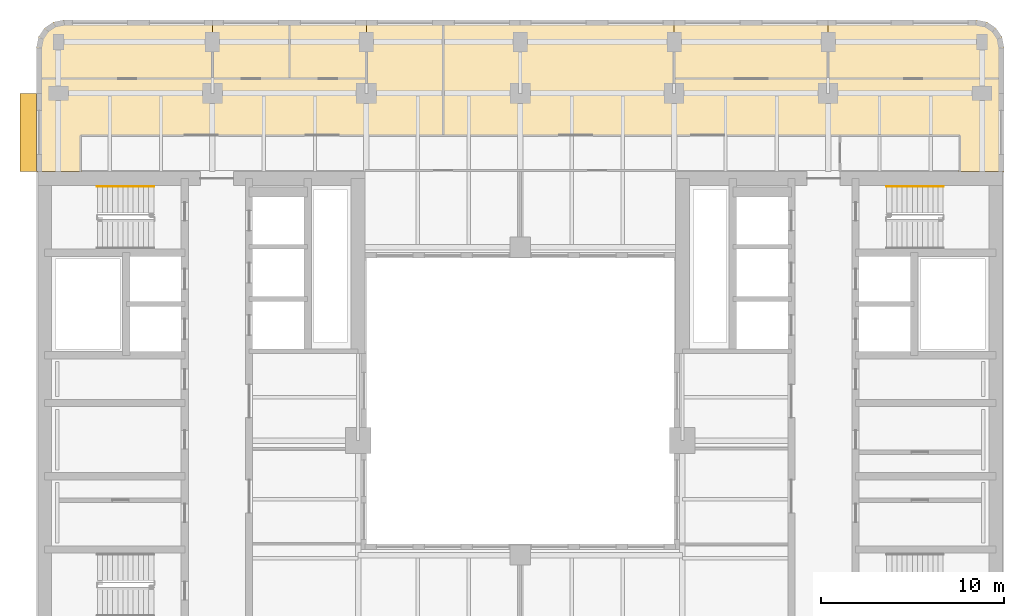
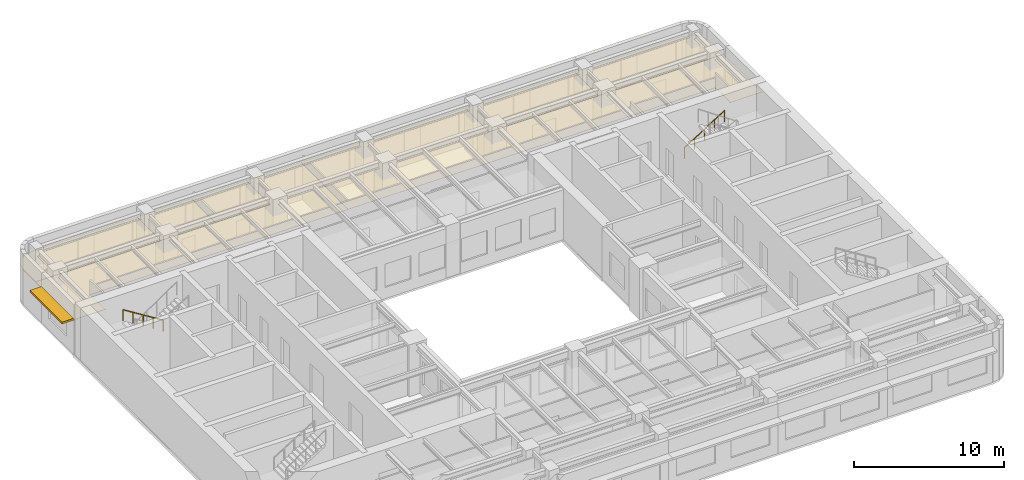
# One storey, part 11 of 11: 7 coverings, 2 railings, 1 shading device.
"""IFC4 building model written with IfcOpenShell, lengths in metres."""

from ifc_helpers import new_model, si_unit, direction, frame, origin, origin_2d, place, context, subcontext, project, spatial, polyline, rectangle, circle, outline, extrude, material, layer, layer_set, type_object, element, save


model = new_model("IFC4")

# Units and contexts
model_context = context("Model", 3, precision=1e-05, world=origin(), true_north=direction((0.0, 1.0)))
body_context = subcontext(model_context, "Body", "Model", "MODEL_VIEW")
ifc_project = project(units=[si_unit("LENGTHUNIT", "METRE"), si_unit("AREAUNIT", "SQUARE_METRE"), si_unit("VOLUMEUNIT", "CUBIC_METRE"), si_unit("PLANEANGLEUNIT", "RADIAN"), si_unit("MASSUNIT", "GRAM", prefix="KILO")], contexts=[model_context])

# Site, building, storey
site_placement = place(None, origin())
site = spatial("IfcSite", under=ifc_project, at=site_placement, CompositionType="ELEMENT")
building_placement = place(site_placement, origin())
building = spatial("IfcBuilding", under=site, at=building_placement, Name="Claustro Exchange Tower", CompositionType="ELEMENT")
storey_placement = place(building_placement, frame((0.0, 0.0, 211.199951171875)))
storey = spatial("IfcBuildingStorey", under=building, at=storey_placement, Name="L48", CompositionType="ELEMENT", Elevation=211.199951171875)

# Coverings
ifc_material_1 = material(Name="Perforated metal ceiling tiles", Category="steel")
ifc_layer_1 = layer(ifc_material_1, 0.030029296875)
ifc_layer_set_1 = layer_set([ifc_layer_1], Name="Perforated metal ceiling tiles")
covering_type_1 = type_object("IfcCoveringType", Name="CL1 suspended metal ceiling", PredefinedType="CEILING", material=ifc_layer_set_1)
covering_1_placement = place(storey_placement, frame((0.0, 0.0, 2.800048828125)))
element("IfcCovering", 1, at=covering_1_placement, inside=storey, type_object=covering_type_1, Name="Ceiling CL1 L48-20", PredefinedType="CEILING", context=body_context, shape_type="SweptSolid", body=[
    extrude(outline(polyline([(-1.125, 37.72509765625), (1.294921875, 37.72509765625), (1.294921875, 37.800048828125), (1.199951171875, 37.800048828125), (1.199951171875, 39.699951171875), (21.0, 39.699951171875), (21.0, 46.0), (16.800048828125, 46.0), (16.800048828125, 42.800048828125), (-1.199951171875, 42.800048828125), (-1.199951171875, 37.705078125), (-1.125, 37.705078125), (-1.125, 37.72509765625)])), origin(), (0.0, 0.0, 1.0), 0.030029296875),
])
ifc_material_2 = material(Name="Gypsum board ceiling", Category="gypsum board")
ifc_layer_2 = layer(ifc_material_2, 0.02490234375)
ifc_layer_set_2 = layer_set([ifc_layer_2], Name="Gypsum board ceiling")
covering_type_2 = type_object("IfcCoveringType", Name="CL2 plasterboard ceiling", PredefinedType="CEILING", material=ifc_layer_set_2)
covering_2_placement = place(storey_placement, frame((0.0, 0.0, 2.800048828125)))
element("IfcCovering", 2, at=covering_2_placement, inside=storey, type_object=covering_type_2, Name="Ceiling CL2 L48-21", PredefinedType="CEILING", context=body_context, shape_type="SweptSolid", body=[
    extrude(outline(polyline([(51.52490234375, 37.72509765625), (51.52490234375, 37.705078125), (51.60009765625, 37.705078125), (51.60009765625, 42.800048828125), (33.60009765625, 42.800048828125), (33.60009765625, 46.0), (21.0, 46.0), (21.0, 39.699951171875), (49.199951171875, 39.699951171875), (49.199951171875, 37.800048828125), (49.10498046875, 37.800048828125), (49.10498046875, 37.72509765625), (51.52490234375, 37.72509765625)])), origin(), (0.0, 0.0, 1.0), 0.02490234375),
])
covering_3_placement = place(storey_placement, frame((0.0, 0.0, 2.800048828125)))
element("IfcCovering", 3, at=covering_3_placement, inside=storey, type_object=covering_type_2, Name="Ceiling CL2 L48-22", PredefinedType="CEILING", context=body_context, shape_type="SweptSolid", body=[
    extrude(outline(polyline([(-1.199951171875, 44.5), (-1.199951171875, 42.800048828125), (8.39990234375, 42.800048828125), (8.39990234375, 46.0), (0.300048828125, 46.0), (-0.27392578125, 45.8857421875), (-0.7607421875, 45.560791015625), (-1.085693359375, 45.073974609375), (-1.199951171875, 44.5)])), origin(), (0.0, 0.0, 1.0), 0.02490234375),
])
covering_4_placement = place(storey_placement, frame((0.0, 0.0, 2.800048828125)))
element("IfcCovering", 4, at=covering_4_placement, inside=storey, type_object=covering_type_2, Name="Ceiling CL2 L48-23", PredefinedType="CEILING", context=body_context, shape_type="SweptSolid", body=[
    extrude(outline(polyline([(12.60009765625, 46.0), (8.39990234375, 46.0), (8.39990234375, 42.800048828125), (12.60009765625, 42.800048828125), (12.60009765625, 46.0)])), origin(), (0.0, 0.0, 1.0), 0.02490234375),
])
covering_5_placement = place(storey_placement, frame((0.0, 0.0, 2.800048828125)))
element("IfcCovering", 5, at=covering_5_placement, inside=storey, type_object=covering_type_2, Name="Ceiling CL2 L48-24", PredefinedType="CEILING", context=body_context, shape_type="SweptSolid", body=[
    extrude(outline(polyline([(16.800048828125, 46.0), (12.60009765625, 46.0), (12.60009765625, 42.800048828125), (16.800048828125, 42.800048828125), (16.800048828125, 46.0)])), origin(), (0.0, 0.0, 1.0), 0.02490234375),
])
covering_6_placement = place(storey_placement, frame((0.0, 0.0, 2.800048828125)))
element("IfcCovering", 6, at=covering_6_placement, inside=storey, type_object=covering_type_2, Name="Ceiling CL2 L48-25", PredefinedType="CEILING", context=body_context, shape_type="SweptSolid", body=[
    extrude(outline(polyline([(42.0, 46.0), (33.60009765625, 46.0), (33.60009765625, 42.800048828125), (42.0, 42.800048828125), (42.0, 46.0)])), origin(), (0.0, 0.0, 1.0), 0.02490234375),
])
covering_7_placement = place(storey_placement, frame((0.0, 0.0, 2.800048828125)))
element("IfcCovering", 7, at=covering_7_placement, inside=storey, type_object=covering_type_2, Name="Ceiling CL2 L48-26", PredefinedType="CEILING", context=body_context, shape_type="SweptSolid", body=[
    extrude(outline(polyline([(50.10009765625, 46.0), (42.0, 46.0), (42.0, 42.800048828125), (51.60009765625, 42.800048828125), (51.60009765625, 44.5), (51.48583984375, 45.073974609375), (51.16064453125, 45.560791015625), (50.674072265625, 45.8857421875), (50.10009765625, 46.0)])), origin(), (0.0, 0.0, 1.0), 0.02490234375),
])

# Railings
ifc_material_3 = material(Name="Stainless steel tube", Category="steel")
railing_type = type_object("IfcRailingType", Name="HR1 900 stair handrail", PredefinedType="HANDRAIL", material=ifc_material_3)
railing_1_placement = place(storey_placement, frame((5.199951171875, 36.9150390625, 0.175048828125)))
element("IfcRailing", 8, at=railing_1_placement, inside=storey, type_object=railing_type, Name="Handrail HR1 stair STWB L48", PredefinedType="HANDRAIL", context=body_context, shape_type="SweptSolid", body=[
    extrude(circle(Radius=0.02392578125, at=origin_2d()), frame((0.0, 0.0, 0.8759765625), z_axis=(-0.847979421464, 0.0, 0.530029150871), x_axis=(0.0, -1.0, 0.0)), (0.0, 0.0, 1.0), 3.632080078125),
    extrude(circle(Radius=0.02099609375, at=origin_2d()), origin(), (0.0, 0.0, 1.0), 0.851806640625),
    extrude(circle(Radius=0.02099609375, at=origin_2d()), frame((-0.77001953125, 0.0, 0.481201171875)), (0.0, 0.0, 1.0), 0.851806640625),
    extrude(circle(Radius=0.02099609375, at=origin_2d()), frame((-1.5400390625, 0.0, 0.96240234375)), (0.0, 0.0, 1.0), 0.851806640625),
    extrude(circle(Radius=0.02099609375, at=origin_2d()), frame((-2.309814453125, 0.0, 1.44384765625)), (0.0, 0.0, 1.0), 0.851806640625),
    extrude(circle(Radius=0.02099609375, at=origin_2d()), frame((-3.079833984375, 0.0, 1.925048828125)), (0.0, 0.0, 1.0), 0.851806640625),
])
railing_2_placement = place(storey_placement, frame((45.199951171875, 36.9150390625, 0.175048828125)))
element("IfcRailing", 9, at=railing_2_placement, inside=storey, type_object=railing_type, Name="Handrail HR1 stair STEB L48", PredefinedType="HANDRAIL", context=body_context, shape_type="SweptSolid", body=[
    extrude(circle(Radius=0.02392578125, at=origin_2d()), frame((0.0, 0.0, 0.8759765625), z_axis=(0.847998304005, 0.0, 0.529998940003), x_axis=(0.0, 1.0, 0.0)), (0.0, 0.0, 1.0), 3.632080078125),
    extrude(circle(Radius=0.02099609375, at=origin_2d()), origin(), (0.0, 0.0, 1.0), 0.851806640625),
    extrude(circle(Radius=0.02099609375, at=origin_2d()), frame((0.77001953125, 0.0, 0.481201171875)), (0.0, 0.0, 1.0), 0.851806640625),
    extrude(circle(Radius=0.02099609375, at=origin_2d()), frame((1.5400390625, 0.0, 0.96240234375)), (0.0, 0.0, 1.0), 0.851806640625),
    extrude(circle(Radius=0.02099609375, at=origin_2d()), frame((2.31005859375, 0.0, 1.44384765625)), (0.0, 0.0, 1.0), 0.851806640625),
    extrude(circle(Radius=0.02099609375, at=origin_2d()), frame((3.080078125, 0.0, 1.925048828125)), (0.0, 0.0, 1.0), 0.851806640625),
])

# Shading device
ifc_material_4 = material(Name="Concrete HA-40 (C40/50), precast, white cement, acid-etched", Category="concrete")
ifc_layer_3 = layer(ifc_material_4, 0.14990234375)
ifc_layer_set_3 = layer_set([ifc_layer_3], Name="Concrete HA-40 (C40/50), precast, white cement, acid-etched")
shading_device_type = type_object("IfcShadingDeviceType", Name="SS2 900 precast concrete SUNSHADE", PredefinedType="SHUTTER", material=ifc_layer_set_3)
shading_device_placement = place(storey_placement, frame((-1.64990234375, 39.862548828125, 2.800048828125), z_axis=(0.0, 0.0, 1.0), x_axis=(0.0, 1.0, 0.0)))
element("IfcShadingDevice", 10, at=shading_device_placement, inside=storey, type_object=shading_device_type, Name="Precast SUNSHADE SS2 L48", PredefinedType="SHUTTER", context=body_context, shape_type="SweptSolid", body=[
    extrude(rectangle(XDim=4.27490234375, YDim=0.89990234375, at=origin_2d()), origin(), (0.0, 0.0, 1.0), 0.14990234375),
])

save(model, "model.ifc")
